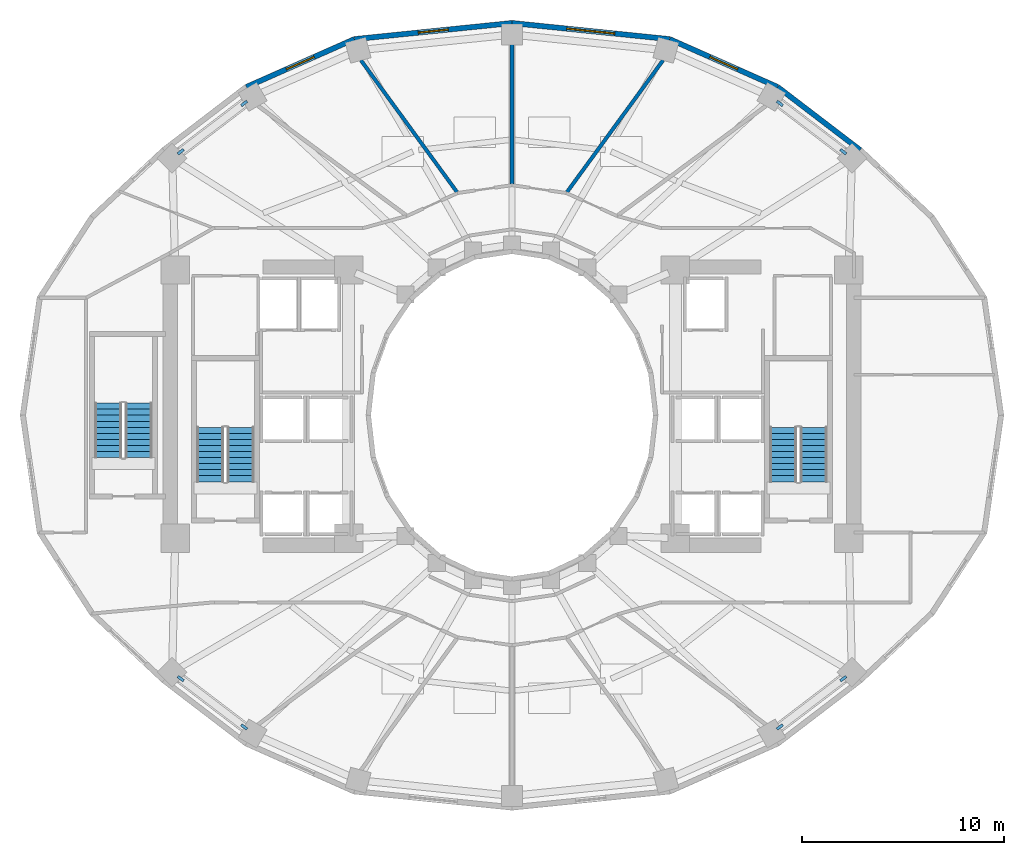
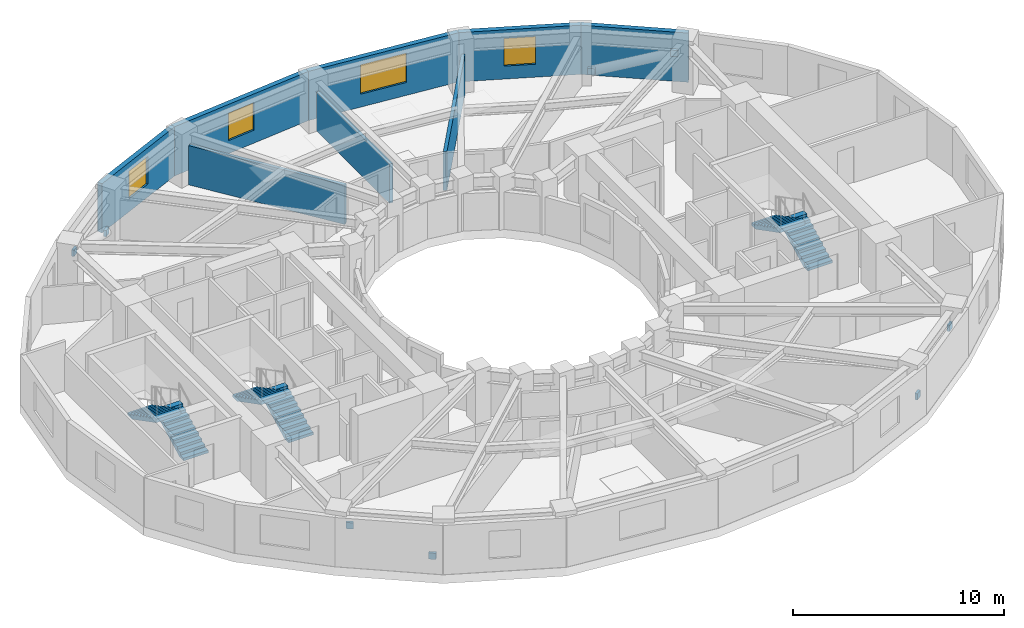
# One storey, part 7 of 9: 8 discrete accessories, 8 walls, 6 stair flights, 4 windows, 4 openings, 3 elements without a shape of their own.
"""IFC4 building model written with IfcOpenShell, lengths in metres."""

from ifc_helpers import new_model, si_unit, direction, frame, frame_2d, origin, origin_2d, place, context, subcontext, project, spatial, polyline, rectangle, outline, extrude, material, layer, layer_set, type_object, element, fill, aggregate, save


model = new_model("IFC4")

# Units and contexts
model_context = context("Model", 3, precision=1e-05, world=origin(), true_north=direction((0.0, 1.0)))
body_context = subcontext(model_context, "Body", "Model", "MODEL_VIEW")
ifc_project = project(units=[si_unit("LENGTHUNIT", "METRE"), si_unit("AREAUNIT", "SQUARE_METRE"), si_unit("VOLUMEUNIT", "CUBIC_METRE"), si_unit("PLANEANGLEUNIT", "RADIAN"), si_unit("MASSUNIT", "GRAM", prefix="KILO")], contexts=[model_context])

# Site, building, storey
site_placement = place(None, origin())
site = spatial("IfcSite", under=ifc_project, at=site_placement, CompositionType="ELEMENT")
building_placement = place(site_placement, origin())
building = spatial("IfcBuilding", under=site, at=building_placement, Name="Solvane Sanctuary Tower", CompositionType="ELEMENT")
storey_placement = place(building_placement, frame((0.0, 0.0, 104.199951171875)))
storey = spatial("IfcBuildingStorey", under=building, at=storey_placement, Name="L31", CompositionType="ELEMENT", Elevation=104.199951171875)

# Wall
ifc_material_1 = material(Name="Precast concrete C40/50", Category="concrete")
ifc_layer_1 = layer(ifc_material_1, 0.260009765625, Name="Precast concrete C40/50")
ifc_layer_set_1 = layer_set([ifc_layer_1], Name="Precast concrete C40/50")
wall_type_1 = type_object("IfcWallType", Name="Wall W-EXT-250", PredefinedType="STANDARD", material=ifc_layer_set_1)
wall_1_placement = place(storey_placement, frame((49.265869140625, 36.1533203125, 0.0), z_axis=(0.0, 0.0, 1.0), x_axis=(-0.794809810864, 0.606858603427, 0.0)))
element("IfcWall", 1, at=wall_1_placement, inside=storey, type_object=wall_type_1, Name="L31 Ceramic-Printed Facade Wall 03", PredefinedType="STANDARD", context=body_context, shape_type="SweptSolid", body=[
    extrude(rectangle(XDim=5.149169921875, YDim=0.260009765625, at=frame_2d((2.57470703125, 0.0))), origin(), (0.0, 0.0, 1.0), 2.85009765625),
])

# Wall, opening, window
wall_2_placement = place(storey_placement, frame((45.17333984375, 39.278076171875, 0.0), z_axis=(0.0, 0.0, 1.0), x_axis=(-0.914336605747, 0.404955023911, 0.0)))
wall_2 = element("IfcWall", 2, at=wall_2_placement, inside=storey, type_object=wall_type_1, Name="L31 Ceramic-Printed Facade Wall 04", PredefinedType="STANDARD", context=body_context, shape_type="SweptSolid", body=[
    extrude(rectangle(XDim=5.85888671875, YDim=0.260009765625, at=frame_2d((2.929443359375, 0.0))), origin(), (0.0, 0.0, 1.0), 2.85009765625),
])
opening_1_placement = place(wall_2_placement, frame((2.179443359375, 0.0, 0.75)))
opening_1 = element("IfcOpeningElement", 3, at=opening_1_placement, cuts=wall_2, Name="Opening WN-OPER-1500", PredefinedType="OPENING", context=body_context, shape_type="SweptSolid", body=[
    extrude(rectangle(XDim=1.5, YDim=1.60009765625, at=frame_2d((0.75, 0.800048828125))), frame((0.0, 0.139892578125, 0.0), z_axis=(0.0, -1.0, 0.0), x_axis=(1.0, 0.0, 0.0)), (0.0, 0.0, 1.0), 0.280029296875),
])
ifc_material_2 = material(Name="Dark Ceramic-Fritted Low-E Glass", Category="glass")
window_type_1 = type_object("IfcWindowType", Name="Window WN-OPER-1500", PartitioningType="SINGLE_PANEL", PredefinedType="WINDOW", material=ifc_material_2)
window_1_placement = place(opening_1_placement, origin())
window_1 = element("IfcWindow", 4, at=window_1_placement, inside=storey, type_object=window_type_1, Name="L31 Operable Facade Window 04", OverallHeight=1.60009765625, OverallWidth=1.5, PartitioningType="SINGLE_PANEL", PredefinedType="WINDOW", context=body_context, shape_type="SweptSolid", body=[
    extrude(rectangle(XDim=1.5, YDim=1.60009765625, at=frame_2d((0.75, 0.800048828125))), frame((0.0, 0.030029296875, 0.0), z_axis=(0.0, -1.0, 0.0), x_axis=(1.0, 0.0, 0.0)), (0.0, 0.0, 1.0), 0.06005859375),
])
fill(opening_1, window_1)

wall_3_placement = place(storey_placement, frame((39.81640625, 41.650634765625, 0.0), z_axis=(0.0, 0.0, 1.0), x_axis=(-0.994821390558, 0.101638579726, 0.0)))
wall_3 = element("IfcWall", 5, at=wall_3_placement, inside=storey, type_object=wall_type_1, Name="L31 Ceramic-Printed Facade Wall 05", PredefinedType="STANDARD", context=body_context, shape_type="SweptSolid", body=[
    extrude(rectangle(XDim=7.857177734375, YDim=0.260009765625, at=frame_2d((3.9287109375, 0.0))), origin(), (0.0, 0.0, 1.0), 2.85009765625),
])
opening_2_placement = place(wall_3_placement, frame((2.728515625, 0.0, 0.75)))
opening_2 = element("IfcOpeningElement", 6, at=opening_2_placement, cuts=wall_3, Name="Opening WN-RIB-2400", PredefinedType="OPENING", context=body_context, shape_type="SweptSolid", body=[
    extrude(rectangle(XDim=2.39990234375, YDim=1.699951171875, at=frame_2d((1.199951171875, 0.85009765625))), frame((0.0, 0.139892578125, 0.0), z_axis=(0.0, -1.0, 0.0), x_axis=(1.0, 0.0, 0.0)), (0.0, 0.0, 1.0), 0.280029296875),
])
window_type_2 = type_object("IfcWindowType", Name="Window WN-RIB-2400", PartitioningType="SINGLE_PANEL", PredefinedType="WINDOW", material=ifc_material_2)
window_2_placement = place(opening_2_placement, origin())
window_2 = element("IfcWindow", 7, at=window_2_placement, inside=storey, type_object=window_type_2, Name="L31 Operable Facade Window 05", OverallHeight=1.699951171875, OverallWidth=2.39990234375, PartitioningType="SINGLE_PANEL", PredefinedType="WINDOW", context=body_context, shape_type="SweptSolid", body=[
    extrude(rectangle(XDim=2.39990234375, YDim=1.699951171875, at=frame_2d((1.199951171875, 0.85009765625))), frame((0.0, 0.030029296875, 0.0), z_axis=(0.0, -1.0, 0.0), x_axis=(1.0, 0.0, 0.0)), (0.0, 0.0, 1.0), 0.06005859375),
])
fill(opening_2, window_2)

wall_4_placement = place(storey_placement, frame((32.0, 42.44921875, 0.0), z_axis=(0.0, 0.0, 1.0), x_axis=(-0.994821390558, -0.101638579726, 0.0)))
wall_4 = element("IfcWall", 8, at=wall_4_placement, inside=storey, type_object=wall_type_1, Name="L31 Ceramic-Printed Facade Wall 06", PredefinedType="STANDARD", context=body_context, shape_type="SweptSolid", body=[
    extrude(rectangle(XDim=7.857177734375, YDim=0.260009765625, at=frame_2d((3.9287109375, 0.0))), origin(), (0.0, 0.0, 1.0), 2.85009765625),
])
opening_3_placement = place(wall_4_placement, frame((3.178466796875, 0.0, 0.75)))
opening_3 = element("IfcOpeningElement", 9, at=opening_3_placement, cuts=wall_4, Name="Opening WN-OPER-1500", PredefinedType="OPENING", context=body_context, shape_type="SweptSolid", body=[
    extrude(rectangle(XDim=1.5, YDim=1.60009765625, at=frame_2d((0.75, 0.800048828125))), frame((0.0, 0.139892578125, 0.0), z_axis=(0.0, -1.0, 0.0), x_axis=(1.0, 0.0, 0.0)), (0.0, 0.0, 1.0), 0.280029296875),
])
window_3_placement = place(opening_3_placement, origin())
window_3 = element("IfcWindow", 10, at=window_3_placement, inside=storey, type_object=window_type_1, Name="L31 Operable Facade Window 06", OverallHeight=1.60009765625, OverallWidth=1.5, PartitioningType="SINGLE_PANEL", PredefinedType="WINDOW", context=body_context, shape_type="SweptSolid", body=[
    extrude(rectangle(XDim=1.5, YDim=1.60009765625, at=frame_2d((0.75, 0.800048828125))), frame((0.0, 0.030029296875, 0.0), z_axis=(0.0, -1.0, 0.0), x_axis=(1.0, 0.0, 0.0)), (0.0, 0.0, 1.0), 0.06005859375),
])
fill(opening_3, window_3)

wall_5_placement = place(storey_placement, frame((24.18359375, 41.650634765625, 0.0), z_axis=(0.0, 0.0, 1.0), x_axis=(-0.914336605747, -0.404955023911, 0.0)))
wall_5 = element("IfcWall", 11, at=wall_5_placement, inside=storey, type_object=wall_type_1, Name="L31 Ceramic-Printed Facade Wall 07", PredefinedType="STANDARD", context=body_context, shape_type="SweptSolid", body=[
    extrude(rectangle(XDim=5.85888671875, YDim=0.260009765625, at=frame_2d((2.929443359375, 0.0))), origin(), (0.0, 0.0, 1.0), 2.85009765625),
])
opening_4_placement = place(wall_5_placement, frame((2.179443359375, 0.0, 0.75)))
opening_4 = element("IfcOpeningElement", 12, at=opening_4_placement, cuts=wall_5, Name="Opening WN-OPER-1500", PredefinedType="OPENING", context=body_context, shape_type="SweptSolid", body=[
    extrude(rectangle(XDim=1.5, YDim=1.60009765625, at=frame_2d((0.75, 0.800048828125))), frame((0.0, 0.139892578125, 0.0), z_axis=(0.0, -1.0, 0.0), x_axis=(1.0, 0.0, 0.0)), (0.0, 0.0, 1.0), 0.280029296875),
])
window_4_placement = place(opening_4_placement, origin())
window_4 = element("IfcWindow", 13, at=window_4_placement, inside=storey, type_object=window_type_1, Name="L31 Operable Facade Window 07", OverallHeight=1.60009765625, OverallWidth=1.5, PartitioningType="SINGLE_PANEL", PredefinedType="WINDOW", context=body_context, shape_type="SweptSolid", body=[
    extrude(rectangle(XDim=1.5, YDim=1.60009765625, at=frame_2d((0.75, 0.800048828125))), frame((0.0, 0.030029296875, 0.0), z_axis=(0.0, -1.0, 0.0), x_axis=(1.0, 0.0, 0.0)), (0.0, 0.0, 1.0), 0.06005859375),
])
fill(opening_4, window_4)

# Walls
ifc_material_3 = material(Name="Acoustic Gypsum Partition Board")
ifc_layer_2 = layer(ifc_material_3, 0.179931640625, Name="Acoustic Gypsum Partition Board")
ifc_layer_set_2 = layer_set([ifc_layer_2], Name="Acoustic Gypsum Partition Board")
wall_type_2 = type_object("IfcWallType", Name="Wall W-UNIT-180", PredefinedType="PARTITIONING", material=ifc_layer_set_2)
wall_6_placement = place(storey_placement, frame((34.726806640625, 34.065673828125, 0.0), z_axis=(0.0, 0.0, 1.0), x_axis=(0.589042211476, 0.808102266486, 0.0)))
element("IfcWall", 14, at=wall_6_placement, inside=storey, type_object=wall_type_2, Name="L31 Radial Compartment Wall 075", PredefinedType="PARTITIONING", context=body_context, shape_type="SweptSolid", body=[
    extrude(rectangle(XDim=8.101318359375, YDim=0.179931640625, at=frame_2d((4.05078125, 0.0))), origin(), (0.0, 0.0, 1.0), 2.27197265625),
])
wall_7_placement = place(storey_placement, frame((32.0, 34.465087890625, 0.0), z_axis=(0.0, 0.0, 1.0), x_axis=(0.0, 1.0, 0.0)))
element("IfcWall", 15, at=wall_7_placement, inside=storey, type_object=wall_type_2, Name="L31 Radial Compartment Wall 090", PredefinedType="PARTITIONING", context=body_context, shape_type="SweptSolid", body=[
    extrude(rectangle(XDim=6.909912109375, YDim=0.179931640625, at=frame_2d((3.455078125, 0.0))), origin(), (0.0, 0.0, 1.0), 2.27197265625),
])
wall_8_placement = place(storey_placement, frame((29.273193359375, 34.065673828125, 0.0), z_axis=(0.0, 0.0, 1.0), x_axis=(-0.589042211476, 0.808102266486, 0.0)))
element("IfcWall", 16, at=wall_8_placement, inside=storey, type_object=wall_type_2, Name="L31 Radial Compartment Wall 105", PredefinedType="PARTITIONING", context=body_context, shape_type="SweptSolid", body=[
    extrude(rectangle(XDim=8.101318359375, YDim=0.179931640625, at=frame_2d((4.05078125, 0.0))), origin(), (0.0, 0.0, 1.0), 2.27197265625),
])

# Stair, stair flights
ifc_material_4 = material(Name="Concrete C45/55", Category="concrete")
stair_type = type_object("IfcStairType", Name="Stair ST-TOW", PredefinedType="HALF_TURN_STAIR", material=ifc_material_4)
stair_1_placement = place(storey_placement, origin())
stair_1 = element("IfcStair", 17, at=stair_1_placement, inside=storey, type_object=stair_type, Name="L31 Exit Stair ST-1 West Core", PredefinedType="HALF_TURN_STAIR")
stair_flight_type = type_object("IfcStairFlightType", Name="StairFlight SF-TOW", PredefinedType="STRAIGHT", material=ifc_material_4)
stair_flight_1_placement = place(storey_placement, frame((18.544921875, 19.699951171875, 0.0), z_axis=(0.0, 0.0, 1.0), x_axis=(0.0, 1.0, 0.0)))
stair_flight_1 = element("IfcStairFlight", 18, at=stair_flight_1_placement, type_object=stair_flight_type, Name="ST-1 flight 1", NumberOfRisers=10, NumberOfTreads=9, PredefinedType="STRAIGHT", RiserHeight=0.155, TreadLength=0.3, context=body_context, shape_type="SweptSolid", body=[
    extrude(outline(polyline([(0.0, 0.0), (0.0, 0.155029296875), (0.300048828125, 0.155029296875), (0.300048828125, 0.31005859375), (0.60009765625, 0.31005859375), (0.60009765625, 0.465087890625), (0.89990234375, 0.465087890625), (0.89990234375, 0.6201171875), (1.199951171875, 0.6201171875), (1.199951171875, 0.77490234375), (1.5, 0.77490234375), (1.5, 0.929931640625), (1.800048828125, 0.929931640625), (1.800048828125, 1.0849609375), (2.10009765625, 1.0849609375), (2.10009765625, 1.239990234375), (2.39990234375, 1.239990234375), (2.39990234375, 1.39501953125), (2.699951171875, 1.39501953125), (2.699951171875, 1.550048828125), (2.699951171875, 1.1923828125), (0.39208984375, 0.0), (0.0, 0.0)])), frame((0.0, 0.675048828125, 0.0), z_axis=(0.0, -1.0, 0.0), x_axis=(1.0, 0.0, 0.0)), (0.0, 0.0, 1.0), 1.35009765625),
])
stair_flight_2_placement = place(storey_placement, frame((17.034912109375, 22.39990234375, 1.550048828125), z_axis=(0.0, 0.0, 1.0), x_axis=(0.0, -1.0, 0.0)))
stair_flight_2 = element("IfcStairFlight", 19, at=stair_flight_2_placement, type_object=stair_flight_type, Name="ST-1 flight 2", NumberOfRisers=10, NumberOfTreads=9, PredefinedType="STRAIGHT", RiserHeight=0.155, TreadLength=0.3, context=body_context, shape_type="SweptSolid", body=[
    extrude(outline(polyline([(0.0, 0.0), (0.0, 0.155029296875), (0.300048828125, 0.155029296875), (0.300048828125, 0.31005859375), (0.60009765625, 0.31005859375), (0.60009765625, 0.465087890625), (0.89990234375, 0.465087890625), (0.89990234375, 0.6201171875), (1.199951171875, 0.6201171875), (1.199951171875, 0.77490234375), (1.5, 0.77490234375), (1.5, 0.929931640625), (1.800048828125, 0.929931640625), (1.800048828125, 1.0849609375), (2.10009765625, 1.0849609375), (2.10009765625, 1.239990234375), (2.39990234375, 1.239990234375), (2.39990234375, 1.39501953125), (2.699951171875, 1.39501953125), (2.699951171875, 1.550048828125), (2.699951171875, 1.1923828125), (0.39208984375, 0.0), (0.0, 0.0)])), frame((0.0, 0.675048828125, 0.0), z_axis=(0.0, -1.0, 0.0), x_axis=(1.0, 0.0, 0.0)), (0.0, 0.0, 1.0), 1.35009765625),
])
aggregate(stair_1, [stair_flight_1, stair_flight_2])

stair_2_placement = place(storey_placement, origin())
stair_2 = element("IfcStair", 20, at=stair_2_placement, inside=storey, type_object=stair_type, Name="L31 Exit Stair ST-2 East Core", PredefinedType="HALF_TURN_STAIR")
stair_flight_3_placement = place(storey_placement, frame((46.965087890625, 19.699951171875, 0.0), z_axis=(0.0, 0.0, 1.0), x_axis=(0.0, 1.0, 0.0)))
stair_flight_3 = element("IfcStairFlight", 21, at=stair_flight_3_placement, type_object=stair_flight_type, Name="ST-2 flight 1", NumberOfRisers=10, NumberOfTreads=9, PredefinedType="STRAIGHT", RiserHeight=0.155, TreadLength=0.3, context=body_context, shape_type="SweptSolid", body=[
    extrude(outline(polyline([(0.0, 0.0), (0.0, 0.155029296875), (0.300048828125, 0.155029296875), (0.300048828125, 0.31005859375), (0.60009765625, 0.31005859375), (0.60009765625, 0.465087890625), (0.89990234375, 0.465087890625), (0.89990234375, 0.6201171875), (1.199951171875, 0.6201171875), (1.199951171875, 0.77490234375), (1.5, 0.77490234375), (1.5, 0.929931640625), (1.800048828125, 0.929931640625), (1.800048828125, 1.0849609375), (2.10009765625, 1.0849609375), (2.10009765625, 1.239990234375), (2.39990234375, 1.239990234375), (2.39990234375, 1.39501953125), (2.699951171875, 1.39501953125), (2.699951171875, 1.550048828125), (2.699951171875, 1.1923828125), (0.39208984375, 0.0), (0.0, 0.0)])), frame((0.0, 0.675048828125, 0.0), z_axis=(0.0, -1.0, 0.0), x_axis=(1.0, 0.0, 0.0)), (0.0, 0.0, 1.0), 1.35009765625),
])
stair_flight_4_placement = place(storey_placement, frame((45.455078125, 22.39990234375, 1.550048828125), z_axis=(0.0, 0.0, 1.0), x_axis=(0.0, -1.0, 0.0)))
stair_flight_4 = element("IfcStairFlight", 22, at=stair_flight_4_placement, type_object=stair_flight_type, Name="ST-2 flight 2", NumberOfRisers=10, NumberOfTreads=9, PredefinedType="STRAIGHT", RiserHeight=0.155, TreadLength=0.3, context=body_context, shape_type="SweptSolid", body=[
    extrude(outline(polyline([(0.0, 0.0), (0.0, 0.155029296875), (0.300048828125, 0.155029296875), (0.300048828125, 0.31005859375), (0.60009765625, 0.31005859375), (0.60009765625, 0.465087890625), (0.89990234375, 0.465087890625), (0.89990234375, 0.6201171875), (1.199951171875, 0.6201171875), (1.199951171875, 0.77490234375), (1.5, 0.77490234375), (1.5, 0.929931640625), (1.800048828125, 0.929931640625), (1.800048828125, 1.0849609375), (2.10009765625, 1.0849609375), (2.10009765625, 1.239990234375), (2.39990234375, 1.239990234375), (2.39990234375, 1.39501953125), (2.699951171875, 1.39501953125), (2.699951171875, 1.550048828125), (2.699951171875, 1.1923828125), (0.39208984375, 0.0), (0.0, 0.0)])), frame((0.0, 0.675048828125, 0.0), z_axis=(0.0, -1.0, 0.0), x_axis=(1.0, 0.0, 0.0)), (0.0, 0.0, 1.0), 1.35009765625),
])
aggregate(stair_2, [stair_flight_3, stair_flight_4])

stair_3_placement = place(storey_placement, origin())
stair_3 = element("IfcStair", 23, at=stair_3_placement, inside=storey, type_object=stair_type, Name="L31 Exit Stair ST-3 Pilgrim Tower Stair", PredefinedType="HALF_TURN_STAIR")
stair_flight_5_placement = place(storey_placement, frame((13.485107421875, 20.89990234375, 0.0), z_axis=(0.0, 0.0, 1.0), x_axis=(0.0, 1.0, 0.0)))
stair_flight_5 = element("IfcStairFlight", 24, at=stair_flight_5_placement, type_object=stair_flight_type, Name="ST-3 flight 1", NumberOfRisers=10, NumberOfTreads=9, PredefinedType="STRAIGHT", RiserHeight=0.155, TreadLength=0.3, context=body_context, shape_type="SweptSolid", body=[
    extrude(outline(polyline([(0.0, 0.0), (0.0, 0.155029296875), (0.300048828125, 0.155029296875), (0.300048828125, 0.31005859375), (0.60009765625, 0.31005859375), (0.60009765625, 0.465087890625), (0.89990234375, 0.465087890625), (0.89990234375, 0.6201171875), (1.199951171875, 0.6201171875), (1.199951171875, 0.77490234375), (1.5, 0.77490234375), (1.5, 0.929931640625), (1.800048828125, 0.929931640625), (1.800048828125, 1.0849609375), (2.10009765625, 1.0849609375), (2.10009765625, 1.239990234375), (2.39990234375, 1.239990234375), (2.39990234375, 1.39501953125), (2.699951171875, 1.39501953125), (2.699951171875, 1.550048828125), (2.699951171875, 1.1923828125), (0.39208984375, 0.0), (0.0, 0.0)])), frame((0.0, 0.675048828125, 0.0), z_axis=(0.0, -1.0, 0.0), x_axis=(1.0, 0.0, 0.0)), (0.0, 0.0, 1.0), 1.35009765625),
])
stair_flight_6_placement = place(storey_placement, frame((11.97509765625, 23.60009765625, 1.550048828125), z_axis=(0.0, 0.0, 1.0), x_axis=(0.0, -1.0, 0.0)))
stair_flight_6 = element("IfcStairFlight", 25, at=stair_flight_6_placement, type_object=stair_flight_type, Name="ST-3 flight 2", NumberOfRisers=10, NumberOfTreads=9, PredefinedType="STRAIGHT", RiserHeight=0.155, TreadLength=0.3, context=body_context, shape_type="SweptSolid", body=[
    extrude(outline(polyline([(0.0, 0.0), (0.0, 0.155029296875), (0.300048828125, 0.155029296875), (0.300048828125, 0.31005859375), (0.60009765625, 0.31005859375), (0.60009765625, 0.465087890625), (0.89990234375, 0.465087890625), (0.89990234375, 0.6201171875), (1.199951171875, 0.6201171875), (1.199951171875, 0.77490234375), (1.5, 0.77490234375), (1.5, 0.929931640625), (1.800048828125, 0.929931640625), (1.800048828125, 1.0849609375), (2.10009765625, 1.0849609375), (2.10009765625, 1.239990234375), (2.39990234375, 1.239990234375), (2.39990234375, 1.39501953125), (2.699951171875, 1.39501953125), (2.699951171875, 1.550048828125), (2.699951171875, 1.1923828125), (0.39208984375, 0.0), (0.0, 0.0)])), frame((0.0, 0.675048828125, 0.0), z_axis=(0.0, -1.0, 0.0), x_axis=(1.0, 0.0, 0.0)), (0.0, 0.0, 1.0), 1.35009765625),
])
aggregate(stair_3, [stair_flight_5, stair_flight_6])

# Discrete accessories
ifc_material_5 = material(Name="Steel ASTM A572 Grade 50", Category="steel")
ifc_layer_3 = layer(ifc_material_5, 0.360107421875, Name="Steel ASTM A572 Grade 50")
ifc_layer_set_3 = layer_set([ifc_layer_3], Name="Steel ASTM A572 Grade 50")
discrete_accessory_type = type_object("IfcDiscreteAccessoryType", Name="Accessory ACC-GUSSET-BRK", PredefinedType="BRACKET", material=ifc_layer_set_3)
for number, where, z_axis, x_axis, name in (
    (26, (45.283203125, 38.462646484375, 0.390625), (0.0, 0.0, 1.0), (0.795473480855, -0.605988400266, 0.0), "L31 Perimeter Braced-Tube Diagonal NE End Gusset Bracket A"),
    (27, (48.427734375, 36.066650390625, 1.80126953125), (0.0, 0.0, 1.0), (0.795473480855, -0.605988400266, 0.0), "L31 Perimeter Braced-Tube Diagonal NE End Gusset Bracket B"),
    (28, (18.716796875, 38.462646484375, 0.390625), (0.0, 0.0, 1.0), (-0.795473480855, -0.605988400266, 0.0), "L31 Perimeter Braced-Tube Diagonal NW End Gusset Bracket A"),
    (29, (15.572265625, 36.066650390625, 1.80126953125), (0.0, 0.0, 1.0), (-0.795473480855, -0.605988400266, 0.0), "L31 Perimeter Braced-Tube Diagonal NW End Gusset Bracket B"),
    (30, (18.716796875, 7.537353515625, 0.390625), (0.0, 0.0, 1.0), (-0.795473480855, 0.605988400266, 0.0), "L31 Perimeter Braced-Tube Diagonal SW End Gusset Bracket A"),
    (31, (15.572265625, 9.933349609375, 1.80126953125), (0.0, 0.0, 1.0), (-0.795473480855, 0.605988400266, 0.0), "L31 Perimeter Braced-Tube Diagonal SW End Gusset Bracket B"),
    (32, (45.283203125, 7.537353515625, 0.390625), (0.0, 0.0, 1.0), (0.795473480855, 0.605988400266, 0.0), "L31 Perimeter Braced-Tube Diagonal SE End Gusset Bracket A"),
    (33, (48.427734375, 9.933349609375, 1.80126953125), (0.0, 0.0, 1.0), (0.795473480855, 0.605988400266, 0.0), "L31 Perimeter Braced-Tube Diagonal SE End Gusset Bracket B"),
):
    element("IfcDiscreteAccessory", number, at=place(storey_placement, frame(where, z_axis=z_axis, x_axis=x_axis)), inside=storey, type_object=discrete_accessory_type, Name=name, PredefinedType="BRACKET", context=body_context, shape_type="SweptSolid", body=[
        extrude(rectangle(XDim=0.360107421875, YDim=0.139892578125, at=origin_2d()), origin(), (0.0, 0.0, 1.0), 0.360107421875),
    ])

save(model, "model.ifc")
